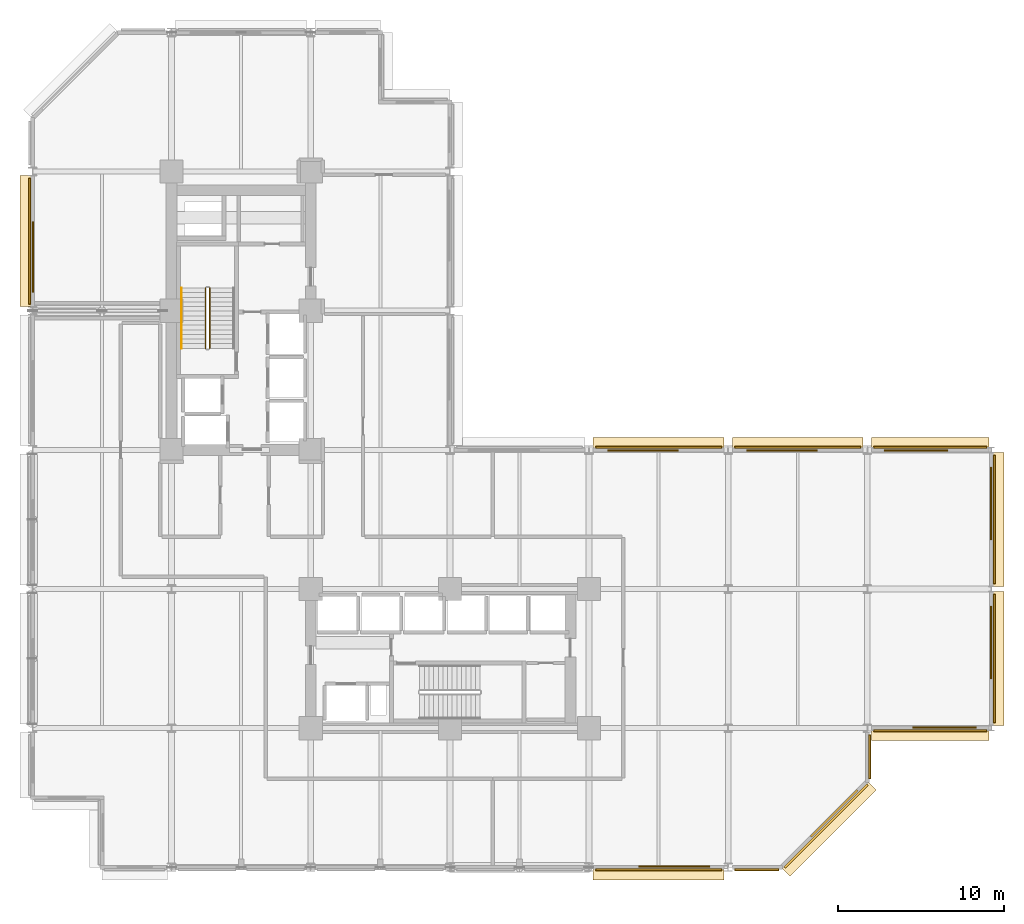
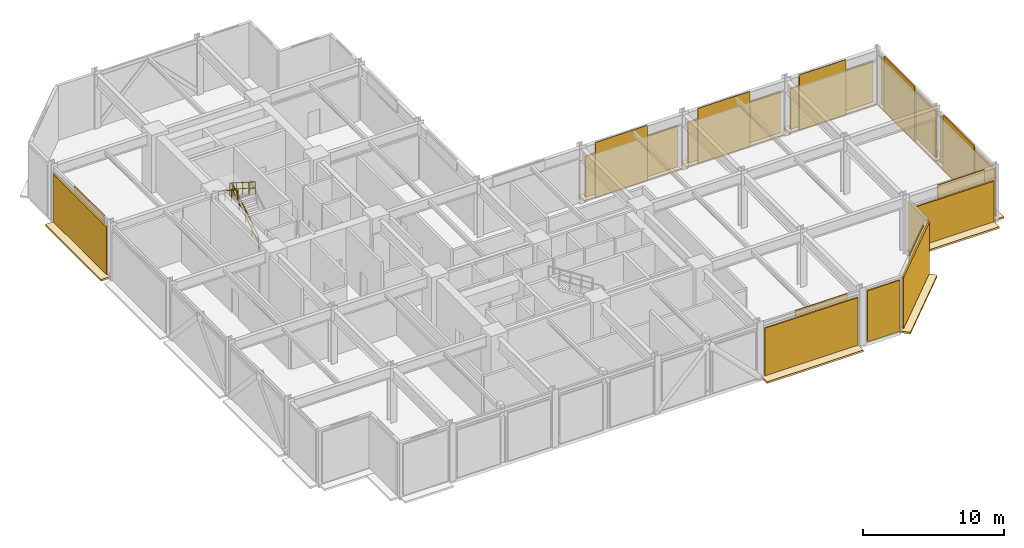
# One storey, part 12 of 13: 18 coverings, 11 shading devices, 3 railings.
"""IFC4 building model written with IfcOpenShell, lengths in metres."""

import ifcopenshell
import ifcopenshell.guid

model = None  # the IFC model being written
_history = None  # IfcOwnerHistory: only IFC2X3 demands one
_inside = {}  # id of a spatial element -> (the spatial element, [elements in it])
_under = {}  # id of a project, library or spatial element -> (it, [spatial elements below it])
_declared = {}  # id of a project -> (the project, [libraries it declares])
_typed = {}  # id of a type object -> (the type object, [elements of that type])
_made_of = {}  # id of a material, layer set ... -> (it, [elements and type objects made of it])


def new_model(schema):
    """Start an empty IFC model of exactly this schema.

    Asked for "IFC4X3", IfcOpenShell would pick the latest addendum, in which some entities
    have other attributes; the version numbers below select the first issue.
    IFC2X3 requires an IfcOwnerHistory on every rooted entity: one is made here for all.
    """
    global model, _history
    if schema == "IFC4X3":
        model = ifcopenshell.file(schema_version=(4, 3, 0, 0))
    else:
        model = ifcopenshell.file(schema=schema)
    _inside.clear()
    _under.clear()
    _declared.clear()
    _typed.clear()
    _made_of.clear()
    _history = None
    if model.schema == "IFC2X3":
        org = make("IfcOrganization", Name="unknown")
        user = make(
            "IfcPersonAndOrganization",
            ThePerson=make("IfcPerson", FamilyName="unknown"),
            TheOrganization=org,
        )
        app = make(
            "IfcApplication",
            ApplicationDeveloper=org,
            Version="unknown",
            ApplicationFullName="unknown",
            ApplicationIdentifier="unknown",
        )
        _history = make(
            "IfcOwnerHistory",
            OwningUser=user,
            OwningApplication=app,
            ChangeAction="ADDED",
            CreationDate=0,
        )
    return model


def make(cls, **values):
    """One entity of the class cls with the attributes given. An attribute that is None is left unset."""
    return model.create_entity(
        cls, **{name: value for name, value in values.items() if value is not None}
    )


def rooted(cls, **values):
    """An entity with a GlobalId (a new one), such as an element, a storey or a relation."""
    return make(cls, GlobalId=ifcopenshell.guid.new(), OwnerHistory=_history, **values)


def si_unit(unit_type, name, prefix=None):
    """IfcSIUnit, for example si_unit("LENGTHUNIT", "METRE", prefix="MILLI")."""
    return make("IfcSIUnit", UnitType=unit_type, Prefix=prefix, Name=name)


def assignment(units):
    """IfcUnitAssignment: the units of a project."""
    return None if units is None else make("IfcUnitAssignment", Units=units)


def point(xyz):
    """IfcCartesianPoint."""
    return None if xyz is None else make("IfcCartesianPoint", Coordinates=xyz)


def direction(xyz):
    """IfcDirection."""
    return None if xyz is None else make("IfcDirection", DirectionRatios=xyz)


def frame(location, z_axis=None, x_axis=None):
    """IfcAxis2Placement3D, a coordinate frame: its origin and axes. An axis left out is left unset."""
    return make(
        "IfcAxis2Placement3D",
        Location=point(location),
        Axis=direction(z_axis),
        RefDirection=direction(x_axis),
    )


def frame_2d(location, x_axis=None):
    """IfcAxis2Placement2D, a coordinate frame in the plane: its origin and x axis."""
    return make(
        "IfcAxis2Placement2D", Location=point(location), RefDirection=direction(x_axis)
    )


def origin():
    """The frame at (0, 0, 0) with its axes left unset."""
    return frame((0.0, 0.0, 0.0))


def origin_2d():
    """The frame at (0, 0) in the plane with its x axis left unset."""
    return frame_2d((0.0, 0.0))


def place(relative_to, where):
    """IfcLocalPlacement: puts the frame where relative to a parent placement (None: the world)."""
    return make(
        "IfcLocalPlacement", PlacementRelTo=relative_to, RelativePlacement=where
    )


def context(
    kind, dimensions, precision=None, world=None, true_north=None, identifier=None
):
    """IfcGeometricRepresentationContext, for example the 3D "Model" context."""
    return make(
        "IfcGeometricRepresentationContext",
        ContextIdentifier=identifier,
        ContextType=kind,
        CoordinateSpaceDimension=dimensions,
        Precision=precision,
        WorldCoordinateSystem=world,
        TrueNorth=true_north,
    )


def subcontext(parent, identifier, kind, view, scale=None):
    """IfcGeometricRepresentationSubContext, for example "Body" below "Model"."""
    return make(
        "IfcGeometricRepresentationSubContext",
        ContextIdentifier=identifier,
        ContextType=kind,
        ParentContext=parent,
        TargetScale=scale,
        TargetView=view,
    )


def project(units=None, contexts=None):
    """IfcProject with its units and contexts."""
    return rooted(
        "IfcProject",
        Name="project",
        RepresentationContexts=contexts,
        UnitsInContext=assignment(units),
    )


def spatial(cls, under=None, at=None, **own):
    """A site, building, storey or space (cls), placed at a placement, below another one or the project."""
    s = rooted(cls, ObjectPlacement=at, **own)
    if under is not None:
        _under.setdefault(under.id(), (under, []))[1].append(s)
    return s


def polyline(points):
    """IfcPolyline through the points."""
    return make("IfcPolyline", Points=[point(p) for p in points])


def profile(cls, at=None, kind="AREA", **sizes):
    """A parametric profile (cls). Its sizes go by their IFC names, for example OverallWidth=200.0."""
    return make(cls, ProfileType=kind, Position=at, **sizes)


def rectangle(**sizes):
    """IfcRectangleProfileDef."""
    return profile("IfcRectangleProfileDef", **sizes)


def circle(**sizes):
    """IfcCircleProfileDef."""
    return profile("IfcCircleProfileDef", **sizes)


def outline(outer, holes=None, kind="AREA"):
    """IfcArbitraryClosedProfileDef: a profile drawn as a closed curve; with holes, ...WithVoids."""
    if holes is None:
        return make("IfcArbitraryClosedProfileDef", ProfileType=kind, OuterCurve=outer)
    return make(
        "IfcArbitraryProfileDefWithVoids",
        ProfileType=kind,
        OuterCurve=outer,
        InnerCurves=holes,
    )


def extrude(swept, where, along, depth):
    """IfcExtrudedAreaSolid: the profile swept, set in the frame where, extruded along a direction by depth."""
    return make(
        "IfcExtrudedAreaSolid",
        SweptArea=swept,
        Position=where,
        ExtrudedDirection=direction(along),
        Depth=depth,
    )


def shape(context_of_items, identifier, shape_type, items):
    """IfcShapeRepresentation: the items that make up one representation, for example the "Body"."""
    return make(
        "IfcShapeRepresentation",
        ContextOfItems=context_of_items,
        RepresentationIdentifier=identifier,
        RepresentationType=shape_type,
        Items=items,
    )


def material(Name=None, Category=None):
    """IfcMaterial."""
    return make("IfcMaterial", Name=Name, Category=Category)


def layer(
    of_material, thickness, ventilated=None, Name=None, Category=None, Priority=None
):
    """IfcMaterialLayer: one layer of a wall or slab, of a material (None: an air gap)."""
    return make(
        "IfcMaterialLayer",
        Material=of_material,
        LayerThickness=thickness,
        IsVentilated=ventilated,
        Name=Name,
        Category=Category,
        Priority=Priority,
    )


def layer_set(layers, Name=None):
    """IfcMaterialLayerSet."""
    return make("IfcMaterialLayerSet", MaterialLayers=layers, LayerSetName=Name)


def made_of(thing, what):
    """Note that an element or type object is made of a material, layer set ...; save() writes the relation."""
    if what is not None:
        _made_of.setdefault(what.id(), (what, []))[1].append(thing)
    return thing


def type_object(cls, material=None, **own):
    """A type object (cls), such as IfcWallType, which elements share."""
    return made_of(rooted(cls, **own), material)


def element(
    cls,
    number,
    at=None,
    inside=None,
    cuts=None,
    type_object=None,
    material=None,
    context=None,
    identifier="Body",
    shape_type=None,
    held_by="IfcProductDefinitionShape",
    body=None,
    shapes=None,
    **own,
):
    """One element of the class cls, such as IfcWall. Its Tag is "e" and its number.

    at: its placement. inside: the storey or other place that contains it. cuts: it is an
    opening in that element (IfcRelVoidsElement). A single representation is given by context,
    identifier, shape_type and body (its items); several are given by shapes. held_by: the class
    of the entity that holds the representations. save() writes the other relations.
    """
    e = rooted(cls, Tag="e%d" % number, ObjectPlacement=at, **own)
    if body is not None:
        shapes = [shape(context, identifier, shape_type, body)]
    if shapes is not None:
        e.Representation = make(held_by, Representations=shapes)
    if inside is not None:
        _inside.setdefault(inside.id(), (inside, []))[1].append(e)
    if cuts is not None:
        rooted(
            "IfcRelVoidsElement", RelatingBuildingElement=cuts, RelatedOpeningElement=e
        )
    if type_object is not None:
        _typed.setdefault(type_object.id(), (type_object, []))[1].append(e)
    return made_of(e, material)


def aggregate(whole, parts):
    """IfcRelAggregates: a whole, such as a stair, and the parts it consists of."""
    return rooted("IfcRelAggregates", RelatingObject=whole, RelatedObjects=parts)


def save(model, path):
    """Write the relations noted so far, then the file.

    IfcRelAggregates (storeys below a building ...), IfcRelContainedInSpatialStructure (elements
    in a storey), IfcRelDefinesByType, IfcRelAssociatesMaterial and IfcRelDeclares: one each for
    every whole, place, type object, material and project.
    """
    for whole, parts in _under.values():
        aggregate(whole, parts)
    for where, things in _inside.values():
        rooted(
            "IfcRelContainedInSpatialStructure",
            RelatedElements=things,
            RelatingStructure=where,
        )
    for kind, things in _typed.values():
        rooted("IfcRelDefinesByType", RelatedObjects=things, RelatingType=kind)
    for what, things in _made_of.values():
        rooted("IfcRelAssociatesMaterial", RelatedObjects=things, RelatingMaterial=what)
    for by, libraries in _declared.values():
        rooted("IfcRelDeclares", RelatingContext=by, RelatedDefinitions=libraries)
    model.write(path)


model = new_model("IFC4")

# Units and contexts
model_context = context("Model", 3, precision=1e-05, world=origin(), true_north=direction((0.0, 1.0)))
body_context = subcontext(model_context, "Body", "Model", "MODEL_VIEW")
ifc_project = project(units=[si_unit("LENGTHUNIT", "METRE"), si_unit("AREAUNIT", "SQUARE_METRE"), si_unit("VOLUMEUNIT", "CUBIC_METRE"), si_unit("PLANEANGLEUNIT", "RADIAN"), si_unit("MASSUNIT", "GRAM", prefix="KILO")], contexts=[model_context])

# Site, building, storey
site_placement = place(None, origin())
site = spatial("IfcSite", under=ifc_project, at=site_placement, CompositionType="ELEMENT")
building_placement = place(site_placement, origin())
building = spatial("IfcBuilding", under=site, at=building_placement, Name="Nerrivon Quay Data Exchange", CompositionType="ELEMENT")
storey_placement = place(building_placement, frame((0.0, 0.0, 79.39990234375)))
storey = spatial("IfcBuildingStorey", under=building, at=storey_placement, Name="L18", CompositionType="ELEMENT", Elevation=79.39990234375)

# Coverings
ifc_material_1 = material(Name="Architectural terracotta ceramic", Category="masonry")
ifc_layer_1 = layer(ifc_material_1, 0.159912109375)
ifc_layer_set_1 = layer_set([ifc_layer_1], Name="Architectural terracotta ceramic")
covering_type_1 = type_object("IfcCoveringType", Name="COV-BLD-TERR", PredefinedType="CLADDING", material=ifc_layer_set_1)
covering_1_placement = place(storey_placement, frame((0.0, 0.0, -0.159912109375)))
element("IfcCovering", 1, at=covering_1_placement, inside=storey, type_object=covering_type_1, Name="L18 Horizontal Terracotta SOLAR SCREEN Blade", PredefinedType="CLADDING", context=body_context, shape_type="SweptSolid", body=[
    extrude(outline(polyline([(57.860107421875, 25.03662109375), (57.860107421875, 16.96337890625), (58.64990234375, 16.96337890625), (58.64990234375, 25.03662109375), (57.860107421875, 25.03662109375)])), origin(), (0.0, 0.0, 1.0), 0.159912109375),
])
covering_2_placement = place(storey_placement, frame((0.0, 0.0, -0.159912109375)))
element("IfcCovering", 2, at=covering_2_placement, inside=storey, type_object=covering_type_1, Name="L18 Horizontal Terracotta SOLAR SCREEN Blade", PredefinedType="CLADDING", context=body_context, shape_type="SweptSolid", body=[
    extrude(outline(polyline([(57.860107421875, 16.636474609375), (57.860107421875, 8.5634765625), (58.64990234375, 8.5634765625), (58.64990234375, 16.636474609375), (57.860107421875, 16.636474609375)])), origin(), (0.0, 0.0, 1.0), 0.159912109375),
])
covering_3_placement = place(storey_placement, frame((0.0, 0.0, -0.159912109375)))
element("IfcCovering", 3, at=covering_3_placement, inside=storey, type_object=covering_type_1, Name="L18 Horizontal Terracotta SOLAR SCREEN Blade", PredefinedType="CLADDING", context=body_context, shape_type="SweptSolid", body=[
    extrude(outline(polyline([(57.744384765625, 8.43994140625), (50.64990234375, 8.43994140625), (50.64990234375, 7.64990234375), (57.744384765625, 7.64990234375), (57.744384765625, 8.43994140625)])), origin(), (0.0, 0.0, 1.0), 0.159912109375),
])
covering_4_placement = place(storey_placement, frame((0.0, 0.0, -0.159912109375)))
element("IfcCovering", 4, at=covering_4_placement, inside=storey, type_object=covering_type_1, Name="L18 Horizontal Terracotta SOLAR SCREEN Blade", PredefinedType="CLADDING", context=body_context, shape_type="SweptSolid", body=[
    extrude(outline(polyline([(50.37158203125, 5.228271484375), (45.171630859375, 0.0283203125), (45.730224609375, -0.5302734375), (50.930419921875, 4.669677734375), (50.37158203125, 5.228271484375)])), origin(), (0.0, 0.0, 1.0), 0.159912109375),
])
covering_5_placement = place(storey_placement, frame((0.0, 0.0, -0.159912109375)))
element("IfcCovering", 5, at=covering_5_placement, inside=storey, type_object=covering_type_1, Name="L18 Horizontal Terracotta SOLAR SCREEN Blade", PredefinedType="CLADDING", context=body_context, shape_type="SweptSolid", body=[
    extrude(outline(polyline([(41.75, 0.0400390625), (33.85009765625, 0.0400390625), (33.85009765625, -0.75), (41.75, -0.75), (41.75, 0.0400390625)])), origin(), (0.0, 0.0, 1.0), 0.159912109375),
])
covering_6_placement = place(storey_placement, frame((0.0, 0.0, -0.159912109375)))
element("IfcCovering", 6, at=covering_6_placement, inside=storey, type_object=covering_type_1, Name="L18 Horizontal Terracotta SOLAR SCREEN Blade", PredefinedType="CLADDING", context=body_context, shape_type="SweptSolid", body=[
    extrude(outline(polyline([(0.0400390625, 33.85009765625), (0.0400390625, 41.75), (-0.75, 41.75), (-0.75, 33.85009765625), (0.0400390625, 33.85009765625)])), origin(), (0.0, 0.0, 1.0), 0.159912109375),
])
covering_7_placement = place(storey_placement, frame((0.0, 0.0, -0.159912109375)))
element("IfcCovering", 7, at=covering_7_placement, inside=storey, type_object=covering_type_1, Name="L18 Horizontal Terracotta SOLAR SCREEN Blade", PredefinedType="CLADDING", context=body_context, shape_type="SweptSolid", body=[
    extrude(outline(polyline([(33.85009765625, 25.159912109375), (41.75, 25.159912109375), (41.75, 25.949951171875), (33.85009765625, 25.949951171875), (33.85009765625, 25.159912109375)])), origin(), (0.0, 0.0, 1.0), 0.159912109375),
])
covering_8_placement = place(storey_placement, frame((0.0, 0.0, -0.159912109375)))
element("IfcCovering", 8, at=covering_8_placement, inside=storey, type_object=covering_type_1, Name="L18 Horizontal Terracotta SOLAR SCREEN Blade", PredefinedType="CLADDING", context=body_context, shape_type="SweptSolid", body=[
    extrude(outline(polyline([(42.25, 25.159912109375), (50.14990234375, 25.159912109375), (50.14990234375, 25.949951171875), (42.25, 25.949951171875), (42.25, 25.159912109375)])), origin(), (0.0, 0.0, 1.0), 0.159912109375),
])
covering_9_placement = place(storey_placement, frame((0.0, 0.0, -0.159912109375)))
element("IfcCovering", 9, at=covering_9_placement, inside=storey, type_object=covering_type_1, Name="L18 Horizontal Terracotta SOLAR SCREEN Blade", PredefinedType="CLADDING", context=body_context, shape_type="SweptSolid", body=[
    extrude(outline(polyline([(50.64990234375, 25.159912109375), (57.744384765625, 25.159912109375), (57.744384765625, 25.949951171875), (50.64990234375, 25.949951171875), (50.64990234375, 25.159912109375)])), origin(), (0.0, 0.0, 1.0), 0.159912109375),
])
ifc_layer_2 = layer(ifc_material_1, 0.090087890625)
ifc_layer_set_2 = layer_set([ifc_layer_2], Name="Architectural terracotta ceramic")
covering_type_2 = type_object("IfcCoveringType", Name="COV-SCR-TERR", PredefinedType="CLADDING", material=ifc_layer_set_2)
for number, where, z_axis, x_axis, name in (
    (10, (57.85498046875, 21.96875, 0.0), (0.0, 0.0, 1.0), (0.0, -1.0, 0.0), "L18 Perforated Terracotta SOLAR SCREEN Cassette"),
    (11, (57.85498046875, 13.56884765625, 0.0), (0.0, 0.0, 1.0), (0.0, -1.0, 0.0), "L18 Perforated Terracotta SOLAR SCREEN Cassette"),
):
    element("IfcCovering", number, at=place(storey_placement, frame(where, z_axis=z_axis, x_axis=x_axis)), inside=storey, type_object=covering_type_2, Name=name, PredefinedType="CLADDING", context=body_context, shape_type="SweptSolid", body=[
        extrude(rectangle(XDim=4.35888671875, YDim=0.090087890625, at=origin_2d()), origin(), (0.0, 0.0, 1.0), 4.72509765625),
    ])
covering_10_placement = place(storey_placement, frame((55.048583984375, 8.445068359375, 0.0), z_axis=(0.0, 0.0, 1.0), x_axis=(-1.0, 0.0, 0.0)))
element("IfcCovering", 12, at=covering_10_placement, inside=storey, type_object=covering_type_2, Name="L18 Perforated Terracotta SOLAR SCREEN Cassette", PredefinedType="CLADDING", context=body_context, shape_type="SweptSolid", body=[
    extrude(rectangle(XDim=3.8310546875, YDim=0.090087890625, at=origin_2d()), origin(), (0.0, 0.0, 1.0), 4.72509765625),
])
covering_11_placement = place(storey_placement, frame((48.39208984375, 3.255859375, 0.0), z_axis=(0.0, 0.0, 1.0), x_axis=(-0.707106781187, -0.707106781187, 0.0)))
element("IfcCovering", 13, at=covering_11_placement, inside=storey, type_object=covering_type_2, Name="L18 Perforated Terracotta SOLAR SCREEN Cassette", PredefinedType="CLADDING", context=body_context, shape_type="SweptSolid", body=[
    extrude(rectangle(XDim=3.970947265625, YDim=0.090087890625, at=origin_2d()), origin(), (0.0, 0.0, 1.0), 4.72509765625),
])
for number, where, z_axis, x_axis, name in (
    (14, (38.748046875, 0.044921875, 0.0), (0.0, 0.0, 1.0), (-1.0, 0.0, 0.0), "L18 Perforated Terracotta SOLAR SCREEN Cassette"),
    (15, (0.044921875, 36.85205078125, 0.0), (0.0, 0.0, 1.0), (0.0, 1.0, 0.0), "L18 Perforated Terracotta SOLAR SCREEN Cassette"),
    (16, (36.85205078125, 25.155029296875, 0.0), (0.0, 0.0, 1.0), (1.0, 0.0, 0.0), "L18 Perforated Terracotta SOLAR SCREEN Cassette"),
    (17, (45.251953125, 25.155029296875, 0.0), (0.0, 0.0, 1.0), (1.0, 0.0, 0.0), "L18 Perforated Terracotta SOLAR SCREEN Cassette"),
):
    element("IfcCovering", number, at=place(storey_placement, frame(where, z_axis=z_axis, x_axis=x_axis)), inside=storey, type_object=covering_type_2, Name=name, PredefinedType="CLADDING", context=body_context, shape_type="SweptSolid", body=[
        extrude(rectangle(XDim=4.26611328125, YDim=0.090087890625, at=origin_2d()), origin(), (0.0, 0.0, 1.0), 4.72509765625),
    ])
covering_12_placement = place(storey_placement, frame((53.345947265625, 25.155029296875, 0.0), z_axis=(0.0, 0.0, 1.0), x_axis=(1.0, 0.0, 0.0)))
element("IfcCovering", 18, at=covering_12_placement, inside=storey, type_object=covering_type_2, Name="L18 Perforated Terracotta SOLAR SCREEN Cassette", PredefinedType="CLADDING", context=body_context, shape_type="SweptSolid", body=[
    extrude(rectangle(XDim=3.8310546875, YDim=0.090087890625, at=origin_2d()), origin(), (0.0, 0.0, 1.0), 4.72509765625),
])

# Railings
ifc_material_2 = material(Name="Steel Grade C350L0 (350 MPa)", Category="steel")
railing_type_1 = type_object("IfcRailingType", Name="RAIL-HAND-HR1", PredefinedType="HANDRAIL", material=ifc_material_2)
railing_1_placement = place(storey_placement, frame((9.0, 34.969970703125, 2.6787109375)))
element("IfcRailing", 19, at=railing_1_placement, inside=storey, type_object=railing_type_1, Name="L18 ST01 stair handrail 2", PredefinedType="HANDRAIL", context=body_context, shape_type="SweptSolid", body=[
    extrude(circle(Radius=0.02392578125, at=origin_2d()), frame((0.0, 0.0, 0.8759765625), z_axis=(0.0, -0.843137146238, 0.537698570422), x_axis=(1.0, 0.0, 0.0)), (0.0, 0.0, 1.0), 4.317138671875),
    extrude(circle(Radius=0.02099609375, at=origin_2d()), origin(), (0.0, 0.0, 1.0), 0.851806640625),
    extrude(circle(Radius=0.02099609375, at=origin_2d()), frame((0.0, -0.909912109375, 0.580322265625)), (0.0, 0.0, 1.0), 0.851806640625),
    extrude(circle(Radius=0.02099609375, at=origin_2d()), frame((0.0, -1.81982421875, 1.16064453125)), (0.0, 0.0, 1.0), 0.851806640625),
    extrude(circle(Radius=0.02099609375, at=origin_2d()), frame((0.0, -2.72998046875, 1.740966796875)), (0.0, 0.0, 1.0), 0.851806640625),
    extrude(circle(Radius=0.02099609375, at=origin_2d()), frame((0.0, -3.639892578125, 2.3212890625)), (0.0, 0.0, 1.0), 0.851806640625),
])
railing_type_2 = type_object("IfcRailingType", Name="RAIL-STAIR-GR1", PredefinedType="BALUSTRADE", material=ifc_material_2)
railing_2_placement = place(storey_placement, frame((10.699951171875, 31.330078125, 0.1787109375)))
element("IfcRailing", 20, at=railing_2_placement, inside=storey, type_object=railing_type_2, Name="L18 ST01 stair guard 1", PredefinedType="BALUSTRADE", context=body_context, shape_type="SweptSolid", body=[
    extrude(circle(Radius=0.02392578125, at=origin_2d()), frame((0.0, 0.0, 1.076171875), z_axis=(0.0, 0.843137146238, 0.537698570422), x_axis=(-1.0, 0.0, 0.0)), (0.0, 0.0, 1.0), 4.317138671875),
    extrude(circle(Radius=0.02392578125, at=origin_2d()), frame((0.0, 0.0, 0.550048828125), z_axis=(0.0, 0.843137146238, 0.537698570422), x_axis=(-1.0, 0.0, 0.0)), (0.0, 0.0, 1.0), 4.317138671875),
    extrude(circle(Radius=0.02099609375, at=origin_2d()), origin(), (0.0, 0.0, 1.0), 1.052001953125),
    extrude(circle(Radius=0.02099609375, at=origin_2d()), frame((0.0, 0.909912109375, 0.580322265625)), (0.0, 0.0, 1.0), 1.052001953125),
    extrude(circle(Radius=0.02099609375, at=origin_2d()), frame((0.0, 1.81982421875, 1.16064453125)), (0.0, 0.0, 1.0), 1.052001953125),
    extrude(circle(Radius=0.02099609375, at=origin_2d()), frame((0.0, 2.72998046875, 1.740966796875)), (0.0, 0.0, 1.0), 1.052001953125),
    extrude(circle(Radius=0.02099609375, at=origin_2d()), frame((0.0, 3.639892578125, 2.3212890625)), (0.0, 0.0, 1.0), 1.052001953125),
])
railing_3_placement = place(storey_placement, frame((10.449951171875, 34.969970703125, 2.6787109375)))
element("IfcRailing", 21, at=railing_3_placement, inside=storey, type_object=railing_type_2, Name="L18 ST01 stair guard 3", PredefinedType="BALUSTRADE", context=body_context, shape_type="SweptSolid", body=[
    extrude(circle(Radius=0.02392578125, at=origin_2d()), frame((0.0, 0.0, 1.076171875), z_axis=(0.0, -0.843137146238, 0.537698570422), x_axis=(1.0, 0.0, 0.0)), (0.0, 0.0, 1.0), 4.317138671875),
    extrude(circle(Radius=0.02392578125, at=origin_2d()), frame((0.0, 0.0, 0.550048828125), z_axis=(0.0, -0.843137146238, 0.537698570422), x_axis=(1.0, 0.0, 0.0)), (0.0, 0.0, 1.0), 4.317138671875),
    extrude(circle(Radius=0.02099609375, at=origin_2d()), origin(), (0.0, 0.0, 1.0), 1.052001953125),
    extrude(circle(Radius=0.02099609375, at=origin_2d()), frame((0.0, -0.909912109375, 0.580322265625)), (0.0, 0.0, 1.0), 1.052001953125),
    extrude(circle(Radius=0.02099609375, at=origin_2d()), frame((0.0, -1.81982421875, 1.16064453125)), (0.0, 0.0, 1.0), 1.052001953125),
    extrude(circle(Radius=0.02099609375, at=origin_2d()), frame((0.0, -2.72998046875, 1.740966796875)), (0.0, 0.0, 1.0), 1.052001953125),
    extrude(circle(Radius=0.02099609375, at=origin_2d()), frame((0.0, -3.639892578125, 2.3212890625)), (0.0, 0.0, 1.0), 1.052001953125),
])

# Shading devices
ifc_material_3 = material(Name="Anodised aluminium 6063-T6", Category="aluminium")
ifc_layer_3 = layer(ifc_material_3, 0.1201171875)
ifc_layer_set_3 = layer_set([ifc_layer_3], Name="Anodised aluminium 6063-T6")
shading_device_type = type_object("IfcShadingDeviceType", Name="SHD-LOUV-LV01", PredefinedType="JALOUSIE", material=ifc_layer_set_3)
for number, where, z_axis, x_axis, name in (
    (22, (58.06005859375, 21.0, 0.150146484375), (0.0, 0.0, 1.0), (0.0, -1.0, 0.0), "L18 Acoustic Plant Louvre LV01-1"),
    (23, (58.06005859375, 12.60009765625, 0.150146484375), (0.0, 0.0, 1.0), (0.0, -1.0, 0.0), "L18 Acoustic Plant Louvre LV01-2"),
):
    element("IfcShadingDevice", number, at=place(storey_placement, frame(where, z_axis=z_axis, x_axis=x_axis)), inside=storey, type_object=shading_device_type, Name=name, PredefinedType="JALOUSIE", context=body_context, shape_type="SweptSolid", body=[
        extrude(rectangle(XDim=7.77294921875, YDim=0.1201171875, at=origin_2d()), origin(), (0.0, 0.0, 1.0), 4.02197265625),
    ])
shading_device_1_placement = place(storey_placement, frame((54.197265625, 8.239990234375, 0.150390625), z_axis=(0.0, 0.0, 1.0), x_axis=(-1.0, 0.0, 0.0)))
element("IfcShadingDevice", 24, at=shading_device_1_placement, inside=storey, type_object=shading_device_type, Name="L18 Acoustic Plant Louvre LV01-3", PredefinedType="JALOUSIE", context=body_context, shape_type="SweptSolid", body=[
    extrude(rectangle(XDim=6.79443359375, YDim=0.1201171875, at=origin_2d()), origin(), (0.0, 0.0, 1.0), 3.514892578125),
])
shading_device_2_placement = place(storey_placement, frame((50.56005859375, 6.675048828125, 0.14990234375), z_axis=(0.0, 0.0, 1.0), x_axis=(0.0, -1.0, 0.0)))
element("IfcShadingDevice", 25, at=shading_device_2_placement, inside=storey, type_object=shading_device_type, Name="L18 Acoustic Plant Louvre LV01-4", PredefinedType="JALOUSIE", context=body_context, shape_type="SweptSolid", body=[
    extrude(rectangle(XDim=2.64990234375, YDim=0.1201171875, at=origin_2d()), origin(), (0.0, 0.0, 1.0), 4.425048828125),
])
shading_device_3_placement = place(storey_placement, frame((47.9130859375, 2.48681640625, 0.14990234375), z_axis=(0.0, 0.0, 1.0), x_axis=(-0.707106781187, -0.707106781187, 0.0)))
element("IfcShadingDevice", 26, at=shading_device_3_placement, inside=storey, type_object=shading_device_type, Name="L18 Acoustic Plant Louvre LV01-5", PredefinedType="JALOUSIE", context=body_context, shape_type="SweptSolid", body=[
    extrude(rectangle(XDim=7.053955078125, YDim=0.1201171875, at=origin_2d()), origin(), (0.0, 0.0, 1.0), 4.425048828125),
])
shading_device_4_placement = place(storey_placement, frame((43.72509765625, -0.159912109375, 0.14990234375), z_axis=(0.0, 0.0, 1.0), x_axis=(-1.0, 0.0, 0.0)))
element("IfcShadingDevice", 27, at=shading_device_4_placement, inside=storey, type_object=shading_device_type, Name="L18 Acoustic Plant Louvre LV01-6", PredefinedType="JALOUSIE", context=body_context, shape_type="SweptSolid", body=[
    extrude(rectangle(XDim=2.64990234375, YDim=0.1201171875, at=origin_2d()), origin(), (0.0, 0.0, 1.0), 4.425048828125),
])
for number, where, z_axis, x_axis, name in (
    (28, (37.800048828125, -0.159912109375, 0.150146484375), (0.0, 0.0, 1.0), (-1.0, 0.0, 0.0), "L18 Acoustic Plant Louvre LV01-7"),
    (29, (-0.159912109375, 37.800048828125, 0.150146484375), (0.0, 0.0, 1.0), (0.0, 1.0, 0.0), "L18 Acoustic Plant Louvre LV01-21"),
):
    element("IfcShadingDevice", number, at=place(storey_placement, frame(where, z_axis=z_axis, x_axis=x_axis)), inside=storey, type_object=shading_device_type, Name=name, PredefinedType="JALOUSIE", context=body_context, shape_type="SweptSolid", body=[
        extrude(rectangle(XDim=7.60009765625, YDim=0.1201171875, at=origin_2d()), origin(), (0.0, 0.0, 1.0), 4.125),
    ])
for number, where, z_axis, x_axis, name in (
    (30, (37.800048828125, 25.360107421875, 0.150146484375), (0.0, 0.0, 1.0), (1.0, 0.0, 0.0), "L18 Acoustic Plant Louvre LV01-33"),
    (31, (46.199951171875, 25.360107421875, 0.150146484375), (0.0, 0.0, 1.0), (1.0, 0.0, 0.0), "L18 Acoustic Plant Louvre LV01-34"),
):
    element("IfcShadingDevice", number, at=place(storey_placement, frame(where, z_axis=z_axis, x_axis=x_axis)), inside=storey, type_object=shading_device_type, Name=name, PredefinedType="JALOUSIE", context=body_context, shape_type="SweptSolid", body=[
        extrude(rectangle(XDim=7.60009765625, YDim=0.1201171875, at=origin_2d()), origin(), (0.0, 0.0, 1.0), 3.52490234375),
    ])
shading_device_5_placement = place(storey_placement, frame((54.197265625, 25.360107421875, 0.150390625), z_axis=(0.0, 0.0, 1.0), x_axis=(1.0, 0.0, 0.0)))
element("IfcShadingDevice", 32, at=shading_device_5_placement, inside=storey, type_object=shading_device_type, Name="L18 Acoustic Plant Louvre LV01-35", PredefinedType="JALOUSIE", context=body_context, shape_type="SweptSolid", body=[
    extrude(rectangle(XDim=6.79443359375, YDim=0.1201171875, at=origin_2d()), origin(), (0.0, 0.0, 1.0), 3.514892578125),
])

save(model, "model.ifc")
